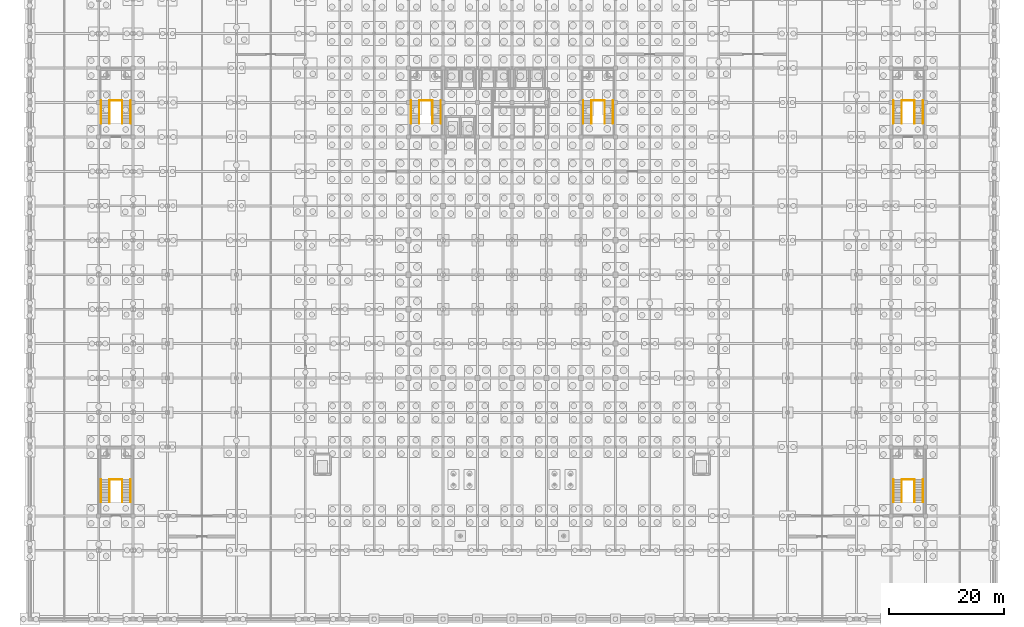
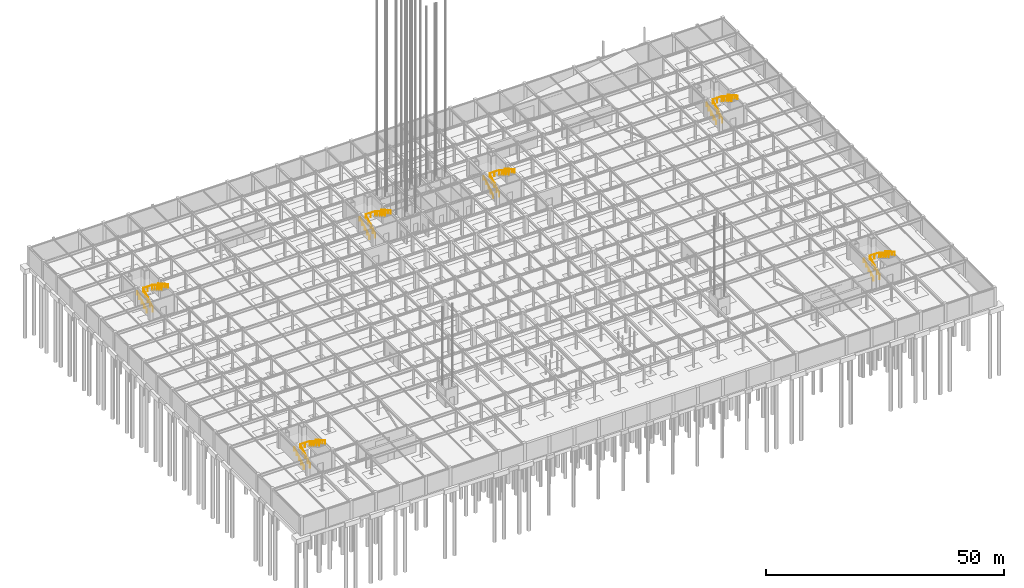
# One storey, part 68 of 69: 18 railings.
"""IFC4 building model written with IfcOpenShell, lengths in metres."""

from ifc_helpers import new_model, si_unit, direction, frame, origin, origin_2d, place, context, subcontext, project, spatial, circle, extrude, material, type_object, element, save


model = new_model("IFC4")

# Units and contexts
model_context = context("Model", 3, precision=1e-05, world=origin(), true_north=direction((0.0, 1.0)))
body_context = subcontext(model_context, "Body", "Model", "MODEL_VIEW")
ifc_project = project(units=[si_unit("LENGTHUNIT", "METRE"), si_unit("AREAUNIT", "SQUARE_METRE"), si_unit("VOLUMEUNIT", "CUBIC_METRE"), si_unit("PLANEANGLEUNIT", "RADIAN"), si_unit("MASSUNIT", "GRAM", prefix="KILO")], contexts=[model_context])

# Site, building, storey
site_placement = place(None, origin())
site = spatial("IfcSite", under=ifc_project, at=site_placement, CompositionType="ELEMENT")
building_placement = place(site_placement, origin())
building = spatial("IfcBuilding", under=site, at=building_placement, Name="Zlatovratsky Civic Hall", CompositionType="ELEMENT")
storey_placement = place(building_placement, frame((0.0, 0.0, -4.800048828125)))
storey = spatial("IfcBuildingStorey", under=building, at=storey_placement, Name="B1", CompositionType="ELEMENT", Elevation=-4.800048828125)

# Railings
ifc_material = material(Name="Brushed stainless steel AISI 304", Category="steel")
railing_type_1 = type_object("IfcRailingType", Name="Railing_Guardrail_1200", PredefinedType="GUARDRAIL", material=ifc_material)
railing_1_placement = place(storey_placement, frame((67.840087890625, 86.35009765625, 0.0)))
element("IfcRailing", 1, at=railing_1_placement, inside=storey, type_object=railing_type_1, Name="RL-0501", PredefinedType="GUARDRAIL", context=body_context, shape_type="SweptSolid", body=[
    extrude(circle(Radius=0.02392578125, at=origin_2d()), frame((0.0, 0.0, 1.17578125), z_axis=(0.0, 0.856909445827, 0.515466974357), x_axis=(-1.0, 0.0, 0.0)), (0.0, 0.0, 1.0), 4.65625),
    extrude(circle(Radius=0.02392578125, at=origin_2d()), frame((0.0, 3.989990234375, 3.576171875), z_axis=(1.0, 0.0, 0.0), x_axis=(0.0, 1.0, 0.0)), (0.0, 0.0, 1.0), 2.31982421875),
    extrude(circle(Radius=0.02392578125, at=origin_2d()), frame((2.31982421875, 3.989990234375, 3.576171875), z_axis=(0.0, -0.856932605607, 0.515428471708), x_axis=(1.0, 0.0, 0.0)), (0.0, 0.0, 1.0), 4.65625),
    extrude(circle(Radius=0.02099609375, at=origin_2d()), origin(), (0.0, 0.0, 1.0), 1.15185546875),
    extrude(circle(Radius=0.02099609375, at=origin_2d()), frame((0.0, 0.99755859375, 0.60009765625)), (0.0, 0.0, 1.0), 1.15185546875),
    extrude(circle(Radius=0.02099609375, at=origin_2d()), frame((0.0, 1.9951171875, 1.2001953125)), (0.0, 0.0, 1.0), 1.15185546875),
    extrude(circle(Radius=0.02099609375, at=origin_2d()), frame((0.0, 2.992431640625, 1.800048828125)), (0.0, 0.0, 1.0), 1.15185546875),
    extrude(circle(Radius=0.02099609375, at=origin_2d()), frame((0.0, 3.989990234375, 2.400146484375)), (0.0, 0.0, 1.0), 1.15185546875),
    extrude(circle(Radius=0.02099609375, at=origin_2d()), frame((1.159912109375, 3.989990234375, 2.400146484375)), (0.0, 0.0, 1.0), 1.15185546875),
    extrude(circle(Radius=0.02099609375, at=origin_2d()), frame((2.31982421875, 3.989990234375, 2.400146484375)), (0.0, 0.0, 1.0), 1.15185546875),
    extrude(circle(Radius=0.02099609375, at=origin_2d()), frame((2.31982421875, 2.992431640625, 3.0)), (0.0, 0.0, 1.0), 1.15185546875),
    extrude(circle(Radius=0.02099609375, at=origin_2d()), frame((2.31982421875, 1.9951171875, 3.60009765625)), (0.0, 0.0, 1.0), 1.15185546875),
    extrude(circle(Radius=0.02099609375, at=origin_2d()), frame((2.31982421875, 0.99755859375, 4.2001953125)), (0.0, 0.0, 1.0), 1.15185546875),
    extrude(circle(Radius=0.02099609375, at=origin_2d()), frame((2.31982421875, 0.0, 4.800048828125)), (0.0, 0.0, 1.0), 1.15185546875),
])
railing_2_placement = place(storey_placement, frame((97.840087890625, 86.35009765625, 0.0)))
element("IfcRailing", 2, at=railing_2_placement, inside=storey, type_object=railing_type_1, Name="RL-0577", PredefinedType="GUARDRAIL", context=body_context, shape_type="SweptSolid", body=[
    extrude(circle(Radius=0.02392578125, at=origin_2d()), frame((0.0, 0.0, 1.17578125), z_axis=(0.0, 0.856909445827, 0.515466974357), x_axis=(-1.0, 0.0, 0.0)), (0.0, 0.0, 1.0), 4.65625),
    extrude(circle(Radius=0.02392578125, at=origin_2d()), frame((0.0, 3.989990234375, 3.576171875), z_axis=(1.0, 0.0, 0.0), x_axis=(0.0, 1.0, 0.0)), (0.0, 0.0, 1.0), 2.31982421875),
    extrude(circle(Radius=0.02392578125, at=origin_2d()), frame((2.31982421875, 3.989990234375, 3.576171875), z_axis=(0.0, -0.856932605607, 0.515428471708), x_axis=(1.0, 0.0, 0.0)), (0.0, 0.0, 1.0), 4.65625),
    extrude(circle(Radius=0.02099609375, at=origin_2d()), origin(), (0.0, 0.0, 1.0), 1.15185546875),
    extrude(circle(Radius=0.02099609375, at=origin_2d()), frame((0.0, 0.99755859375, 0.60009765625)), (0.0, 0.0, 1.0), 1.15185546875),
    extrude(circle(Radius=0.02099609375, at=origin_2d()), frame((0.0, 1.9951171875, 1.2001953125)), (0.0, 0.0, 1.0), 1.15185546875),
    extrude(circle(Radius=0.02099609375, at=origin_2d()), frame((0.0, 2.992431640625, 1.800048828125)), (0.0, 0.0, 1.0), 1.15185546875),
    extrude(circle(Radius=0.02099609375, at=origin_2d()), frame((0.0, 3.989990234375, 2.400146484375)), (0.0, 0.0, 1.0), 1.15185546875),
    extrude(circle(Radius=0.02099609375, at=origin_2d()), frame((1.159912109375, 3.989990234375, 2.400146484375)), (0.0, 0.0, 1.0), 1.15185546875),
    extrude(circle(Radius=0.02099609375, at=origin_2d()), frame((2.31982421875, 3.989990234375, 2.400146484375)), (0.0, 0.0, 1.0), 1.15185546875),
    extrude(circle(Radius=0.02099609375, at=origin_2d()), frame((2.31982421875, 2.992431640625, 3.0)), (0.0, 0.0, 1.0), 1.15185546875),
    extrude(circle(Radius=0.02099609375, at=origin_2d()), frame((2.31982421875, 1.9951171875, 3.60009765625)), (0.0, 0.0, 1.0), 1.15185546875),
    extrude(circle(Radius=0.02099609375, at=origin_2d()), frame((2.31982421875, 0.99755859375, 4.2001953125)), (0.0, 0.0, 1.0), 1.15185546875),
    extrude(circle(Radius=0.02099609375, at=origin_2d()), frame((2.31982421875, 0.0, 4.800048828125)), (0.0, 0.0, 1.0), 1.15185546875),
])
railing_3_placement = place(storey_placement, frame((13.889892578125, 20.35009765625, 0.0)))
element("IfcRailing", 3, at=railing_3_placement, inside=storey, type_object=railing_type_1, Name="RL-0649", PredefinedType="GUARDRAIL", context=body_context, shape_type="SweptSolid", body=[
    extrude(circle(Radius=0.02392578125, at=origin_2d()), frame((0.0, 0.0, 1.17578125), z_axis=(0.0, 0.856909445827, 0.515466974357), x_axis=(-1.0, 0.0, 0.0)), (0.0, 0.0, 1.0), 4.65625),
    extrude(circle(Radius=0.02392578125, at=origin_2d()), frame((0.0, 3.989990234375, 3.576171875), z_axis=(1.0, 0.0, 0.0), x_axis=(0.0, 1.0, 0.0)), (0.0, 0.0, 1.0), 2.22021484375),
    extrude(circle(Radius=0.02392578125, at=origin_2d()), frame((2.22021484375, 3.989990234375, 3.576171875), z_axis=(0.0, -0.856932605607, 0.515428471708), x_axis=(1.0, 0.0, 0.0)), (0.0, 0.0, 1.0), 4.65625),
    extrude(circle(Radius=0.02099609375, at=origin_2d()), origin(), (0.0, 0.0, 1.0), 1.15185546875),
    extrude(circle(Radius=0.02099609375, at=origin_2d()), frame((0.0, 0.99755859375, 0.60009765625)), (0.0, 0.0, 1.0), 1.15185546875),
    extrude(circle(Radius=0.02099609375, at=origin_2d()), frame((0.0, 1.9951171875, 1.2001953125)), (0.0, 0.0, 1.0), 1.15185546875),
    extrude(circle(Radius=0.02099609375, at=origin_2d()), frame((0.0, 2.992431640625, 1.800048828125)), (0.0, 0.0, 1.0), 1.15185546875),
    extrude(circle(Radius=0.02099609375, at=origin_2d()), frame((0.0, 3.989990234375, 2.400146484375)), (0.0, 0.0, 1.0), 1.15185546875),
    extrude(circle(Radius=0.02099609375, at=origin_2d()), frame((1.110107421875, 3.989990234375, 2.400146484375)), (0.0, 0.0, 1.0), 1.15185546875),
    extrude(circle(Radius=0.02099609375, at=origin_2d()), frame((2.22021484375, 3.989990234375, 2.400146484375)), (0.0, 0.0, 1.0), 1.15185546875),
    extrude(circle(Radius=0.02099609375, at=origin_2d()), frame((2.22021484375, 2.992431640625, 3.0)), (0.0, 0.0, 1.0), 1.15185546875),
    extrude(circle(Radius=0.02099609375, at=origin_2d()), frame((2.22021484375, 1.9951171875, 3.60009765625)), (0.0, 0.0, 1.0), 1.15185546875),
    extrude(circle(Radius=0.02099609375, at=origin_2d()), frame((2.22021484375, 0.99755859375, 4.2001953125)), (0.0, 0.0, 1.0), 1.15185546875),
    extrude(circle(Radius=0.02099609375, at=origin_2d()), frame((2.22021484375, 0.0, 4.800048828125)), (0.0, 0.0, 1.0), 1.15185546875),
])
railing_4_placement = place(storey_placement, frame((151.889892578125, 20.35009765625, 0.0)))
element("IfcRailing", 4, at=railing_4_placement, inside=storey, type_object=railing_type_1, Name="RL-0665", PredefinedType="GUARDRAIL", context=body_context, shape_type="SweptSolid", body=[
    extrude(circle(Radius=0.02392578125, at=origin_2d()), frame((0.0, 0.0, 1.17578125), z_axis=(0.0, 0.856909445827, 0.515466974357), x_axis=(-1.0, 0.0, 0.0)), (0.0, 0.0, 1.0), 4.65625),
    extrude(circle(Radius=0.02392578125, at=origin_2d()), frame((0.0, 3.989990234375, 3.576171875), z_axis=(1.0, 0.0, 0.0), x_axis=(0.0, 1.0, 0.0)), (0.0, 0.0, 1.0), 2.22021484375),
    extrude(circle(Radius=0.02392578125, at=origin_2d()), frame((2.22021484375, 3.989990234375, 3.576171875), z_axis=(0.0, -0.856932605607, 0.515428471708), x_axis=(1.0, 0.0, 0.0)), (0.0, 0.0, 1.0), 4.65625),
    extrude(circle(Radius=0.02099609375, at=origin_2d()), origin(), (0.0, 0.0, 1.0), 1.15185546875),
    extrude(circle(Radius=0.02099609375, at=origin_2d()), frame((0.0, 0.99755859375, 0.60009765625)), (0.0, 0.0, 1.0), 1.15185546875),
    extrude(circle(Radius=0.02099609375, at=origin_2d()), frame((0.0, 1.9951171875, 1.2001953125)), (0.0, 0.0, 1.0), 1.15185546875),
    extrude(circle(Radius=0.02099609375, at=origin_2d()), frame((0.0, 2.992431640625, 1.800048828125)), (0.0, 0.0, 1.0), 1.15185546875),
    extrude(circle(Radius=0.02099609375, at=origin_2d()), frame((0.0, 3.989990234375, 2.400146484375)), (0.0, 0.0, 1.0), 1.15185546875),
    extrude(circle(Radius=0.02099609375, at=origin_2d()), frame((1.110107421875, 3.989990234375, 2.400146484375)), (0.0, 0.0, 1.0), 1.15185546875),
    extrude(circle(Radius=0.02099609375, at=origin_2d()), frame((2.22021484375, 3.989990234375, 2.400146484375)), (0.0, 0.0, 1.0), 1.15185546875),
    extrude(circle(Radius=0.02099609375, at=origin_2d()), frame((2.22021484375, 2.992431640625, 3.0)), (0.0, 0.0, 1.0), 1.15185546875),
    extrude(circle(Radius=0.02099609375, at=origin_2d()), frame((2.22021484375, 1.9951171875, 3.60009765625)), (0.0, 0.0, 1.0), 1.15185546875),
    extrude(circle(Radius=0.02099609375, at=origin_2d()), frame((2.22021484375, 0.99755859375, 4.2001953125)), (0.0, 0.0, 1.0), 1.15185546875),
    extrude(circle(Radius=0.02099609375, at=origin_2d()), frame((2.22021484375, 0.0, 4.800048828125)), (0.0, 0.0, 1.0), 1.15185546875),
])
railing_5_placement = place(storey_placement, frame((13.889892578125, 86.35009765625, 0.0)))
element("IfcRailing", 5, at=railing_5_placement, inside=storey, type_object=railing_type_1, Name="RL-0681", PredefinedType="GUARDRAIL", context=body_context, shape_type="SweptSolid", body=[
    extrude(circle(Radius=0.02392578125, at=origin_2d()), frame((0.0, 0.0, 1.17578125), z_axis=(0.0, 0.856909445827, 0.515466974357), x_axis=(-1.0, 0.0, 0.0)), (0.0, 0.0, 1.0), 4.65625),
    extrude(circle(Radius=0.02392578125, at=origin_2d()), frame((0.0, 3.989990234375, 3.576171875), z_axis=(1.0, 0.0, 0.0), x_axis=(0.0, 1.0, 0.0)), (0.0, 0.0, 1.0), 2.22021484375),
    extrude(circle(Radius=0.02392578125, at=origin_2d()), frame((2.22021484375, 3.989990234375, 3.576171875), z_axis=(0.0, -0.856932605607, 0.515428471708), x_axis=(1.0, 0.0, 0.0)), (0.0, 0.0, 1.0), 4.65625),
    extrude(circle(Radius=0.02099609375, at=origin_2d()), origin(), (0.0, 0.0, 1.0), 1.15185546875),
    extrude(circle(Radius=0.02099609375, at=origin_2d()), frame((0.0, 0.99755859375, 0.60009765625)), (0.0, 0.0, 1.0), 1.15185546875),
    extrude(circle(Radius=0.02099609375, at=origin_2d()), frame((0.0, 1.9951171875, 1.2001953125)), (0.0, 0.0, 1.0), 1.15185546875),
    extrude(circle(Radius=0.02099609375, at=origin_2d()), frame((0.0, 2.992431640625, 1.800048828125)), (0.0, 0.0, 1.0), 1.15185546875),
    extrude(circle(Radius=0.02099609375, at=origin_2d()), frame((0.0, 3.989990234375, 2.400146484375)), (0.0, 0.0, 1.0), 1.15185546875),
    extrude(circle(Radius=0.02099609375, at=origin_2d()), frame((1.110107421875, 3.989990234375, 2.400146484375)), (0.0, 0.0, 1.0), 1.15185546875),
    extrude(circle(Radius=0.02099609375, at=origin_2d()), frame((2.22021484375, 3.989990234375, 2.400146484375)), (0.0, 0.0, 1.0), 1.15185546875),
    extrude(circle(Radius=0.02099609375, at=origin_2d()), frame((2.22021484375, 2.992431640625, 3.0)), (0.0, 0.0, 1.0), 1.15185546875),
    extrude(circle(Radius=0.02099609375, at=origin_2d()), frame((2.22021484375, 1.9951171875, 3.60009765625)), (0.0, 0.0, 1.0), 1.15185546875),
    extrude(circle(Radius=0.02099609375, at=origin_2d()), frame((2.22021484375, 0.99755859375, 4.2001953125)), (0.0, 0.0, 1.0), 1.15185546875),
    extrude(circle(Radius=0.02099609375, at=origin_2d()), frame((2.22021484375, 0.0, 4.800048828125)), (0.0, 0.0, 1.0), 1.15185546875),
])
railing_6_placement = place(storey_placement, frame((151.889892578125, 86.35009765625, 0.0)))
element("IfcRailing", 6, at=railing_6_placement, inside=storey, type_object=railing_type_1, Name="RL-0697", PredefinedType="GUARDRAIL", context=body_context, shape_type="SweptSolid", body=[
    extrude(circle(Radius=0.02392578125, at=origin_2d()), frame((0.0, 0.0, 1.17578125), z_axis=(0.0, 0.856909445827, 0.515466974357), x_axis=(-1.0, 0.0, 0.0)), (0.0, 0.0, 1.0), 4.65625),
    extrude(circle(Radius=0.02392578125, at=origin_2d()), frame((0.0, 3.989990234375, 3.576171875), z_axis=(1.0, 0.0, 0.0), x_axis=(0.0, 1.0, 0.0)), (0.0, 0.0, 1.0), 2.22021484375),
    extrude(circle(Radius=0.02392578125, at=origin_2d()), frame((2.22021484375, 3.989990234375, 3.576171875), z_axis=(0.0, -0.856932605607, 0.515428471708), x_axis=(1.0, 0.0, 0.0)), (0.0, 0.0, 1.0), 4.65625),
    extrude(circle(Radius=0.02099609375, at=origin_2d()), origin(), (0.0, 0.0, 1.0), 1.15185546875),
    extrude(circle(Radius=0.02099609375, at=origin_2d()), frame((0.0, 0.99755859375, 0.60009765625)), (0.0, 0.0, 1.0), 1.15185546875),
    extrude(circle(Radius=0.02099609375, at=origin_2d()), frame((0.0, 1.9951171875, 1.2001953125)), (0.0, 0.0, 1.0), 1.15185546875),
    extrude(circle(Radius=0.02099609375, at=origin_2d()), frame((0.0, 2.992431640625, 1.800048828125)), (0.0, 0.0, 1.0), 1.15185546875),
    extrude(circle(Radius=0.02099609375, at=origin_2d()), frame((0.0, 3.989990234375, 2.400146484375)), (0.0, 0.0, 1.0), 1.15185546875),
    extrude(circle(Radius=0.02099609375, at=origin_2d()), frame((1.110107421875, 3.989990234375, 2.400146484375)), (0.0, 0.0, 1.0), 1.15185546875),
    extrude(circle(Radius=0.02099609375, at=origin_2d()), frame((2.22021484375, 3.989990234375, 2.400146484375)), (0.0, 0.0, 1.0), 1.15185546875),
    extrude(circle(Radius=0.02099609375, at=origin_2d()), frame((2.22021484375, 2.992431640625, 3.0)), (0.0, 0.0, 1.0), 1.15185546875),
    extrude(circle(Radius=0.02099609375, at=origin_2d()), frame((2.22021484375, 1.9951171875, 3.60009765625)), (0.0, 0.0, 1.0), 1.15185546875),
    extrude(circle(Radius=0.02099609375, at=origin_2d()), frame((2.22021484375, 0.99755859375, 4.2001953125)), (0.0, 0.0, 1.0), 1.15185546875),
    extrude(circle(Radius=0.02099609375, at=origin_2d()), frame((2.22021484375, 0.0, 4.800048828125)), (0.0, 0.0, 1.0), 1.15185546875),
])
railing_type_2 = type_object("IfcRailingType", Name="Railing_Handrail_900", PredefinedType="HANDRAIL", material=ifc_material)
railing_7_placement = place(storey_placement, frame((66.429931640625, 86.35009765625, 0.16015625)))
element("IfcRailing", 7, at=railing_7_placement, inside=storey, type_object=railing_type_2, Name="RL-0502", PredefinedType="HANDRAIL", context=body_context, shape_type="SweptSolid", body=[
    extrude(circle(Radius=0.02392578125, at=origin_2d()), frame((0.0, 0.0, 0.8759765625), z_axis=(0.0, 0.871984184956, 0.489534044972), x_axis=(-1.0, 0.0, 0.0)), (0.0, 0.0, 1.0), 4.57568359375),
    extrude(circle(Radius=0.02099609375, at=origin_2d()), origin(), (0.0, 0.0, 1.0), 0.851806640625),
    extrude(circle(Radius=0.02099609375, at=origin_2d()), frame((0.0, 0.99755859375, 0.56005859375)), (0.0, 0.0, 1.0), 0.851806640625),
    extrude(circle(Radius=0.02099609375, at=origin_2d()), frame((0.0, 1.9951171875, 1.1201171875)), (0.0, 0.0, 1.0), 0.851806640625),
    extrude(circle(Radius=0.02099609375, at=origin_2d()), frame((0.0, 2.992431640625, 1.679931640625)), (0.0, 0.0, 1.0), 0.851806640625),
    extrude(circle(Radius=0.02099609375, at=origin_2d()), frame((0.0, 3.989990234375, 2.239990234375)), (0.0, 0.0, 1.0), 0.851806640625),
])
railing_8_placement = place(storey_placement, frame((71.570068359375, 90.340087890625, 2.56005859375)))
element("IfcRailing", 8, at=railing_8_placement, inside=storey, type_object=railing_type_2, Name="RL-0503", PredefinedType="HANDRAIL", context=body_context, shape_type="SweptSolid", body=[
    extrude(circle(Radius=0.02392578125, at=origin_2d()), frame((0.0, 0.0, 0.8759765625), z_axis=(0.0, -0.871984184956, 0.489534044972), x_axis=(1.0, 0.0, 0.0)), (0.0, 0.0, 1.0), 4.57568359375),
    extrude(circle(Radius=0.02099609375, at=origin_2d()), origin(), (0.0, 0.0, 1.0), 0.851806640625),
    extrude(circle(Radius=0.02099609375, at=origin_2d()), frame((0.0, -0.99755859375, 0.56005859375)), (0.0, 0.0, 1.0), 0.851806640625),
    extrude(circle(Radius=0.02099609375, at=origin_2d()), frame((0.0, -1.9951171875, 1.1201171875)), (0.0, 0.0, 1.0), 0.851806640625),
    extrude(circle(Radius=0.02099609375, at=origin_2d()), frame((0.0, -2.992431640625, 1.679931640625)), (0.0, 0.0, 1.0), 0.851806640625),
    extrude(circle(Radius=0.02099609375, at=origin_2d()), frame((0.0, -3.989990234375, 2.239990234375)), (0.0, 0.0, 1.0), 0.851806640625),
])
railing_9_placement = place(storey_placement, frame((96.429931640625, 86.35009765625, 0.16015625)))
element("IfcRailing", 9, at=railing_9_placement, inside=storey, type_object=railing_type_2, Name="RL-0578", PredefinedType="HANDRAIL", context=body_context, shape_type="SweptSolid", body=[
    extrude(circle(Radius=0.02392578125, at=origin_2d()), frame((0.0, 0.0, 0.8759765625), z_axis=(0.0, 0.871984184956, 0.489534044972), x_axis=(-1.0, 0.0, 0.0)), (0.0, 0.0, 1.0), 4.57568359375),
    extrude(circle(Radius=0.02099609375, at=origin_2d()), origin(), (0.0, 0.0, 1.0), 0.851806640625),
    extrude(circle(Radius=0.02099609375, at=origin_2d()), frame((0.0, 0.99755859375, 0.56005859375)), (0.0, 0.0, 1.0), 0.851806640625),
    extrude(circle(Radius=0.02099609375, at=origin_2d()), frame((0.0, 1.9951171875, 1.1201171875)), (0.0, 0.0, 1.0), 0.851806640625),
    extrude(circle(Radius=0.02099609375, at=origin_2d()), frame((0.0, 2.992431640625, 1.679931640625)), (0.0, 0.0, 1.0), 0.851806640625),
    extrude(circle(Radius=0.02099609375, at=origin_2d()), frame((0.0, 3.989990234375, 2.239990234375)), (0.0, 0.0, 1.0), 0.851806640625),
])
railing_10_placement = place(storey_placement, frame((101.570068359375, 90.340087890625, 2.56005859375)))
element("IfcRailing", 10, at=railing_10_placement, inside=storey, type_object=railing_type_2, Name="RL-0579", PredefinedType="HANDRAIL", context=body_context, shape_type="SweptSolid", body=[
    extrude(circle(Radius=0.02392578125, at=origin_2d()), frame((0.0, 0.0, 0.8759765625), z_axis=(0.0, -0.871984184956, 0.489534044972), x_axis=(1.0, 0.0, 0.0)), (0.0, 0.0, 1.0), 4.57568359375),
    extrude(circle(Radius=0.02099609375, at=origin_2d()), origin(), (0.0, 0.0, 1.0), 0.851806640625),
    extrude(circle(Radius=0.02099609375, at=origin_2d()), frame((0.0, -0.99755859375, 0.56005859375)), (0.0, 0.0, 1.0), 0.851806640625),
    extrude(circle(Radius=0.02099609375, at=origin_2d()), frame((0.0, -1.9951171875, 1.1201171875)), (0.0, 0.0, 1.0), 0.851806640625),
    extrude(circle(Radius=0.02099609375, at=origin_2d()), frame((0.0, -2.992431640625, 1.679931640625)), (0.0, 0.0, 1.0), 0.851806640625),
    extrude(circle(Radius=0.02099609375, at=origin_2d()), frame((0.0, -3.989990234375, 2.239990234375)), (0.0, 0.0, 1.0), 0.851806640625),
])
railing_11_placement = place(storey_placement, frame((12.429931640625, 20.35009765625, 0.16015625)))
element("IfcRailing", 11, at=railing_11_placement, inside=storey, type_object=railing_type_2, Name="RL-0650", PredefinedType="HANDRAIL", context=body_context, shape_type="SweptSolid", body=[
    extrude(circle(Radius=0.02392578125, at=origin_2d()), frame((0.0, 0.0, 0.8759765625), z_axis=(0.0, 0.871984184956, 0.489534044972), x_axis=(-1.0, 0.0, 0.0)), (0.0, 0.0, 1.0), 4.57568359375),
    extrude(circle(Radius=0.02099609375, at=origin_2d()), origin(), (0.0, 0.0, 1.0), 0.851806640625),
    extrude(circle(Radius=0.02099609375, at=origin_2d()), frame((0.0, 0.99755859375, 0.56005859375)), (0.0, 0.0, 1.0), 0.851806640625),
    extrude(circle(Radius=0.02099609375, at=origin_2d()), frame((0.0, 1.9951171875, 1.1201171875)), (0.0, 0.0, 1.0), 0.851806640625),
    extrude(circle(Radius=0.02099609375, at=origin_2d()), frame((0.0, 2.992431640625, 1.679931640625)), (0.0, 0.0, 1.0), 0.851806640625),
    extrude(circle(Radius=0.02099609375, at=origin_2d()), frame((0.0, 3.989990234375, 2.239990234375)), (0.0, 0.0, 1.0), 0.851806640625),
])
railing_12_placement = place(storey_placement, frame((17.570068359375, 24.340087890625, 2.56005859375)))
element("IfcRailing", 12, at=railing_12_placement, inside=storey, type_object=railing_type_2, Name="RL-0651", PredefinedType="HANDRAIL", context=body_context, shape_type="SweptSolid", body=[
    extrude(circle(Radius=0.02392578125, at=origin_2d()), frame((0.0, 0.0, 0.8759765625), z_axis=(0.0, -0.871984184956, 0.489534044972), x_axis=(1.0, 0.0, 0.0)), (0.0, 0.0, 1.0), 4.57568359375),
    extrude(circle(Radius=0.02099609375, at=origin_2d()), origin(), (0.0, 0.0, 1.0), 0.851806640625),
    extrude(circle(Radius=0.02099609375, at=origin_2d()), frame((0.0, -0.99755859375, 0.56005859375)), (0.0, 0.0, 1.0), 0.851806640625),
    extrude(circle(Radius=0.02099609375, at=origin_2d()), frame((0.0, -1.9951171875, 1.1201171875)), (0.0, 0.0, 1.0), 0.851806640625),
    extrude(circle(Radius=0.02099609375, at=origin_2d()), frame((0.0, -2.992431640625, 1.679931640625)), (0.0, 0.0, 1.0), 0.851806640625),
    extrude(circle(Radius=0.02099609375, at=origin_2d()), frame((0.0, -3.989990234375, 2.239990234375)), (0.0, 0.0, 1.0), 0.851806640625),
])
railing_13_placement = place(storey_placement, frame((150.429931640625, 20.35009765625, 0.16015625)))
element("IfcRailing", 13, at=railing_13_placement, inside=storey, type_object=railing_type_2, Name="RL-0666", PredefinedType="HANDRAIL", context=body_context, shape_type="SweptSolid", body=[
    extrude(circle(Radius=0.02392578125, at=origin_2d()), frame((0.0, 0.0, 0.8759765625), z_axis=(0.0, 0.871984184956, 0.489534044972), x_axis=(-1.0, 0.0, 0.0)), (0.0, 0.0, 1.0), 4.57568359375),
    extrude(circle(Radius=0.02099609375, at=origin_2d()), origin(), (0.0, 0.0, 1.0), 0.851806640625),
    extrude(circle(Radius=0.02099609375, at=origin_2d()), frame((0.0, 0.99755859375, 0.56005859375)), (0.0, 0.0, 1.0), 0.851806640625),
    extrude(circle(Radius=0.02099609375, at=origin_2d()), frame((0.0, 1.9951171875, 1.1201171875)), (0.0, 0.0, 1.0), 0.851806640625),
    extrude(circle(Radius=0.02099609375, at=origin_2d()), frame((0.0, 2.992431640625, 1.679931640625)), (0.0, 0.0, 1.0), 0.851806640625),
    extrude(circle(Radius=0.02099609375, at=origin_2d()), frame((0.0, 3.989990234375, 2.239990234375)), (0.0, 0.0, 1.0), 0.851806640625),
])
railing_14_placement = place(storey_placement, frame((155.570068359375, 24.340087890625, 2.56005859375)))
element("IfcRailing", 14, at=railing_14_placement, inside=storey, type_object=railing_type_2, Name="RL-0667", PredefinedType="HANDRAIL", context=body_context, shape_type="SweptSolid", body=[
    extrude(circle(Radius=0.02392578125, at=origin_2d()), frame((0.0, 0.0, 0.8759765625), z_axis=(0.0, -0.871984184956, 0.489534044972), x_axis=(1.0, 0.0, 0.0)), (0.0, 0.0, 1.0), 4.57568359375),
    extrude(circle(Radius=0.02099609375, at=origin_2d()), origin(), (0.0, 0.0, 1.0), 0.851806640625),
    extrude(circle(Radius=0.02099609375, at=origin_2d()), frame((0.0, -0.99755859375, 0.56005859375)), (0.0, 0.0, 1.0), 0.851806640625),
    extrude(circle(Radius=0.02099609375, at=origin_2d()), frame((0.0, -1.9951171875, 1.1201171875)), (0.0, 0.0, 1.0), 0.851806640625),
    extrude(circle(Radius=0.02099609375, at=origin_2d()), frame((0.0, -2.992431640625, 1.679931640625)), (0.0, 0.0, 1.0), 0.851806640625),
    extrude(circle(Radius=0.02099609375, at=origin_2d()), frame((0.0, -3.989990234375, 2.239990234375)), (0.0, 0.0, 1.0), 0.851806640625),
])
railing_15_placement = place(storey_placement, frame((12.429931640625, 86.35009765625, 0.16015625)))
element("IfcRailing", 15, at=railing_15_placement, inside=storey, type_object=railing_type_2, Name="RL-0682", PredefinedType="HANDRAIL", context=body_context, shape_type="SweptSolid", body=[
    extrude(circle(Radius=0.02392578125, at=origin_2d()), frame((0.0, 0.0, 0.8759765625), z_axis=(0.0, 0.871984184956, 0.489534044972), x_axis=(-1.0, 0.0, 0.0)), (0.0, 0.0, 1.0), 4.57568359375),
    extrude(circle(Radius=0.02099609375, at=origin_2d()), origin(), (0.0, 0.0, 1.0), 0.851806640625),
    extrude(circle(Radius=0.02099609375, at=origin_2d()), frame((0.0, 0.99755859375, 0.56005859375)), (0.0, 0.0, 1.0), 0.851806640625),
    extrude(circle(Radius=0.02099609375, at=origin_2d()), frame((0.0, 1.9951171875, 1.1201171875)), (0.0, 0.0, 1.0), 0.851806640625),
    extrude(circle(Radius=0.02099609375, at=origin_2d()), frame((0.0, 2.992431640625, 1.679931640625)), (0.0, 0.0, 1.0), 0.851806640625),
    extrude(circle(Radius=0.02099609375, at=origin_2d()), frame((0.0, 3.989990234375, 2.239990234375)), (0.0, 0.0, 1.0), 0.851806640625),
])
railing_16_placement = place(storey_placement, frame((17.570068359375, 90.340087890625, 2.56005859375)))
element("IfcRailing", 16, at=railing_16_placement, inside=storey, type_object=railing_type_2, Name="RL-0683", PredefinedType="HANDRAIL", context=body_context, shape_type="SweptSolid", body=[
    extrude(circle(Radius=0.02392578125, at=origin_2d()), frame((0.0, 0.0, 0.8759765625), z_axis=(0.0, -0.871984184956, 0.489534044972), x_axis=(1.0, 0.0, 0.0)), (0.0, 0.0, 1.0), 4.57568359375),
    extrude(circle(Radius=0.02099609375, at=origin_2d()), origin(), (0.0, 0.0, 1.0), 0.851806640625),
    extrude(circle(Radius=0.02099609375, at=origin_2d()), frame((0.0, -0.99755859375, 0.56005859375)), (0.0, 0.0, 1.0), 0.851806640625),
    extrude(circle(Radius=0.02099609375, at=origin_2d()), frame((0.0, -1.9951171875, 1.1201171875)), (0.0, 0.0, 1.0), 0.851806640625),
    extrude(circle(Radius=0.02099609375, at=origin_2d()), frame((0.0, -2.992431640625, 1.679931640625)), (0.0, 0.0, 1.0), 0.851806640625),
    extrude(circle(Radius=0.02099609375, at=origin_2d()), frame((0.0, -3.989990234375, 2.239990234375)), (0.0, 0.0, 1.0), 0.851806640625),
])
railing_17_placement = place(storey_placement, frame((150.429931640625, 86.35009765625, 0.16015625)))
element("IfcRailing", 17, at=railing_17_placement, inside=storey, type_object=railing_type_2, Name="RL-0698", PredefinedType="HANDRAIL", context=body_context, shape_type="SweptSolid", body=[
    extrude(circle(Radius=0.02392578125, at=origin_2d()), frame((0.0, 0.0, 0.8759765625), z_axis=(0.0, 0.871984184956, 0.489534044972), x_axis=(-1.0, 0.0, 0.0)), (0.0, 0.0, 1.0), 4.57568359375),
    extrude(circle(Radius=0.02099609375, at=origin_2d()), origin(), (0.0, 0.0, 1.0), 0.851806640625),
    extrude(circle(Radius=0.02099609375, at=origin_2d()), frame((0.0, 0.99755859375, 0.56005859375)), (0.0, 0.0, 1.0), 0.851806640625),
    extrude(circle(Radius=0.02099609375, at=origin_2d()), frame((0.0, 1.9951171875, 1.1201171875)), (0.0, 0.0, 1.0), 0.851806640625),
    extrude(circle(Radius=0.02099609375, at=origin_2d()), frame((0.0, 2.992431640625, 1.679931640625)), (0.0, 0.0, 1.0), 0.851806640625),
    extrude(circle(Radius=0.02099609375, at=origin_2d()), frame((0.0, 3.989990234375, 2.239990234375)), (0.0, 0.0, 1.0), 0.851806640625),
])
railing_18_placement = place(storey_placement, frame((155.570068359375, 90.340087890625, 2.56005859375)))
element("IfcRailing", 18, at=railing_18_placement, inside=storey, type_object=railing_type_2, Name="RL-0699", PredefinedType="HANDRAIL", context=body_context, shape_type="SweptSolid", body=[
    extrude(circle(Radius=0.02392578125, at=origin_2d()), frame((0.0, 0.0, 0.8759765625), z_axis=(0.0, -0.871984184956, 0.489534044972), x_axis=(1.0, 0.0, 0.0)), (0.0, 0.0, 1.0), 4.57568359375),
    extrude(circle(Radius=0.02099609375, at=origin_2d()), origin(), (0.0, 0.0, 1.0), 0.851806640625),
    extrude(circle(Radius=0.02099609375, at=origin_2d()), frame((0.0, -0.99755859375, 0.56005859375)), (0.0, 0.0, 1.0), 0.851806640625),
    extrude(circle(Radius=0.02099609375, at=origin_2d()), frame((0.0, -1.9951171875, 1.1201171875)), (0.0, 0.0, 1.0), 0.851806640625),
    extrude(circle(Radius=0.02099609375, at=origin_2d()), frame((0.0, -2.992431640625, 1.679931640625)), (0.0, 0.0, 1.0), 0.851806640625),
    extrude(circle(Radius=0.02099609375, at=origin_2d()), frame((0.0, -3.989990234375, 2.239990234375)), (0.0, 0.0, 1.0), 0.851806640625),
])

save(model, "model.ifc")
